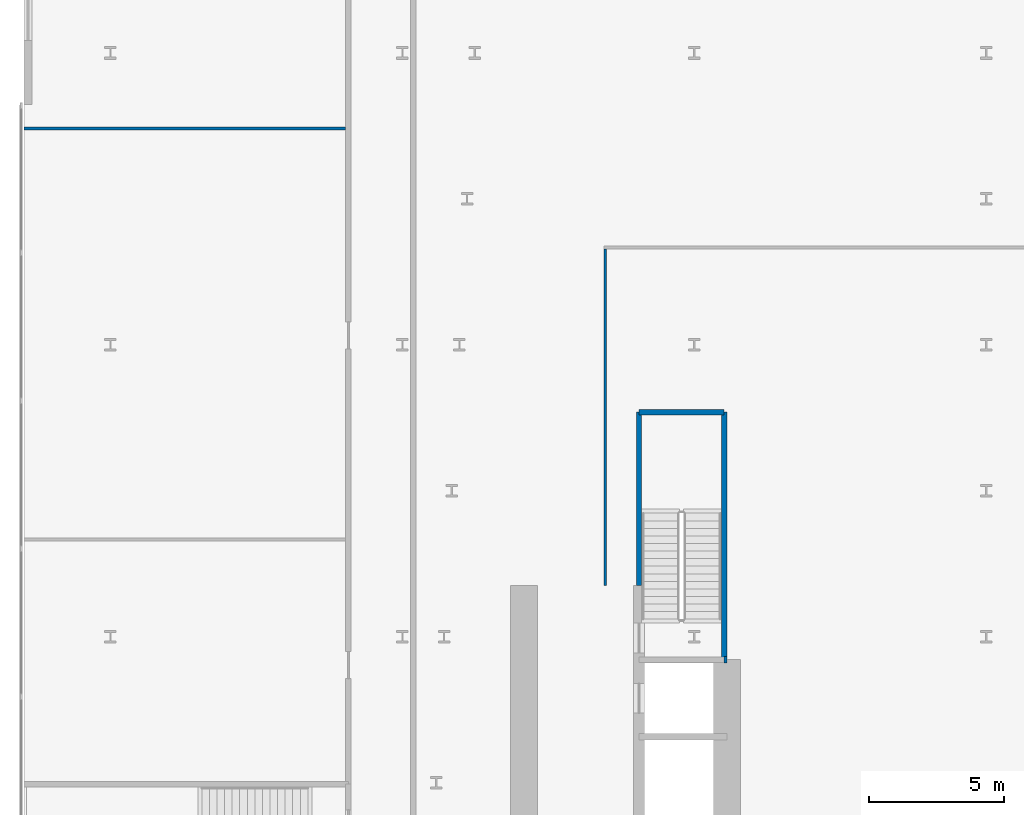
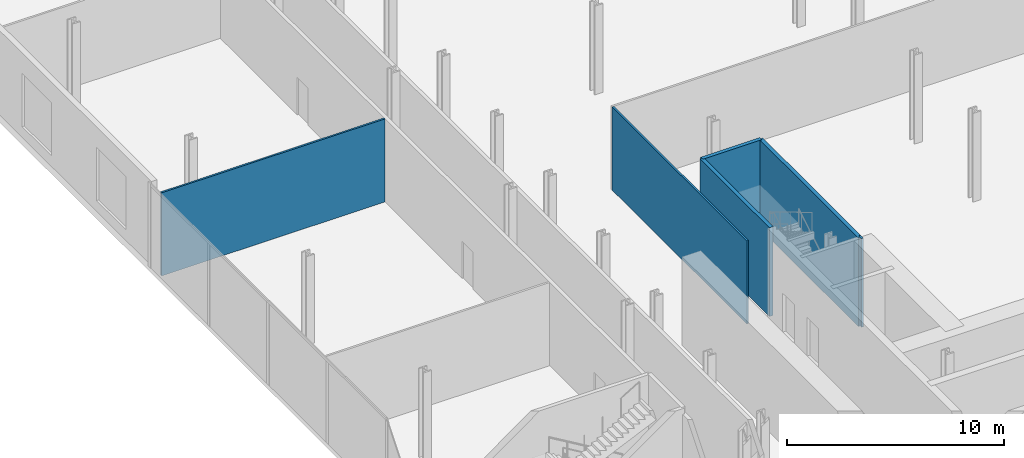
# One storey, part 29 of 47: 6 walls.
"""IFC4 building model written with IfcOpenShell, lengths in metres."""

from ifc_helpers import new_model, si_unit, direction, frame, frame_2d, origin, place, context, subcontext, project, spatial, rectangle, extrude, material, layer, layer_set, type_object, element, save


model = new_model("IFC4")

# Units and contexts
model_context = context("Model", 3, precision=1e-05, world=origin(), true_north=direction((0.0, 1.0)))
body_context = subcontext(model_context, "Body", "Model", "MODEL_VIEW")
ifc_project = project(units=[si_unit("LENGTHUNIT", "METRE"), si_unit("AREAUNIT", "SQUARE_METRE"), si_unit("VOLUMEUNIT", "CUBIC_METRE"), si_unit("PLANEANGLEUNIT", "RADIAN"), si_unit("MASSUNIT", "GRAM", prefix="KILO")], contexts=[model_context])

# Site, building, storey
site_placement = place(None, origin())
site = spatial("IfcSite", under=ifc_project, at=site_placement, CompositionType="ELEMENT")
building_placement = place(site_placement, origin())
building = spatial("IfcBuilding", under=site, at=building_placement, Name="Kheshtan School and Residences Tower", CompositionType="ELEMENT")
storey_placement = place(building_placement, frame((0.0, 0.0, 7.5)))
storey = spatial("IfcBuildingStorey", under=building, at=storey_placement, Name="L01", CompositionType="ELEMENT", Elevation=7.5)

# Walls
ifc_material_1 = material(Name="Gypsum board on steel studs", Category="steel")
ifc_layer_1 = layer(ifc_material_1, 0.10009765625)
ifc_layer_set_1 = layer_set([ifc_layer_1], Name="Gypsum partition 100")
wall_type_1 = type_object("IfcWallType", Name="Gypsum partition 100", PredefinedType="PARTITIONING", material=ifc_layer_set_1)
wall_1_placement = place(storey_placement, frame((12.0, 64.39990234375, 0.0), z_axis=(0.0, 0.0, 1.0), x_axis=(1.0, 0.0, 0.0)))
element("IfcWall", 1, at=wall_1_placement, inside=storey, type_object=wall_type_1, Name="Partition L01-005", PredefinedType="PARTITIONING", context=body_context, shape_type="SweptSolid", body=[
    extrude(rectangle(XDim=11.89990234375, YDim=0.10009765625, at=frame_2d((5.949951171875, 0.0))), origin(), (0.0, 0.0, 1.0), 4.679931640625),
])
wall_2_placement = place(storey_placement, frame((33.5, 47.5, 0.0), z_axis=(0.0, 0.0, 1.0), x_axis=(0.0, 1.0, 0.0)))
element("IfcWall", 2, at=wall_2_placement, inside=storey, type_object=wall_type_1, Name="Partition L01-016", PredefinedType="PARTITIONING", context=body_context, shape_type="SweptSolid", body=[
    extrude(rectangle(XDim=12.449951171875, YDim=0.10009765625, at=frame_2d((6.22509765625, 0.0))), origin(), (0.0, 0.0, 1.0), 4.679931640625),
])
ifc_material_2 = material(Name="Fire-board shaft wall system")
ifc_layer_2 = layer(ifc_material_2, 0.25)
ifc_layer_set_2 = layer_set([ifc_layer_2], Name="Shaft lining wall 250")
wall_type_2 = type_object("IfcWallType", Name="Shaft lining wall 250", PredefinedType="PARTITIONING", material=ifc_layer_set_2)
wall_3_placement = place(storey_placement, frame((37.89990234375, 44.75, 0.0), z_axis=(0.0, 0.0, 1.0), x_axis=(1.0, 0.0, 0.0)))
element("IfcWall", 3, at=wall_3_placement, inside=storey, type_object=wall_type_2, Name="Shaft lining wall", PredefinedType="PARTITIONING", context=body_context, shape_type="SweptSolid", body=[
    extrude(rectangle(XDim=0.10009765625, YDim=0.25, at=frame_2d((0.050048828125, 0.0))), origin(), (0.0, 0.0, 1.0), 5.0),
])
ifc_material_3 = material(Name="Concrete C40/50", Category="concrete")
ifc_layer_3 = layer(ifc_material_3, 0.199951171875)
ifc_layer_set_3 = layer_set([ifc_layer_3], Name="Stair enclosure wall 200 Concrete C40/50")
wall_type_3 = type_object("IfcWallType", Name="Stair enclosure wall 200 Concrete C40/50", PredefinedType="SHEAR", material=ifc_layer_set_3)
wall_4_placement = place(storey_placement, frame((34.75, 53.909912109375, 0.0), z_axis=(0.0, 0.0, 1.0), x_axis=(1.0, 0.0, 0.0)))
element("IfcWall", 4, at=wall_4_placement, inside=storey, type_object=wall_type_3, Name="Stair enclosure wall ST2", PredefinedType="SHEAR", context=body_context, shape_type="SweptSolid", body=[
    extrude(rectangle(XDim=3.14990234375, YDim=0.199951171875, at=frame_2d((1.574951171875, 0.0))), origin(), (0.0, 0.0, 1.0), 5.0),
])
wall_5_placement = place(storey_placement, frame((34.75, 47.5, 0.0), z_axis=(0.0, 0.0, 1.0), x_axis=(0.0, 1.0, 0.0)))
element("IfcWall", 5, at=wall_5_placement, inside=storey, type_object=wall_type_3, Name="Stair enclosure wall ST2", PredefinedType="SHEAR", context=body_context, shape_type="SweptSolid", body=[
    extrude(rectangle(XDim=6.409912109375, YDim=0.199951171875, at=frame_2d((3.205078125, 0.0))), origin(), (0.0, 0.0, 1.0), 5.0),
])
wall_6_placement = place(storey_placement, frame((37.89990234375, 44.75, 0.0), z_axis=(0.0, 0.0, 1.0), x_axis=(0.0, 1.0, 0.0)))
element("IfcWall", 6, at=wall_6_placement, inside=storey, type_object=wall_type_3, Name="Stair enclosure wall ST2", PredefinedType="SHEAR", context=body_context, shape_type="SweptSolid", body=[
    extrude(rectangle(XDim=9.159912109375, YDim=0.199951171875, at=frame_2d((4.580078125, 0.0))), origin(), (0.0, 0.0, 1.0), 5.0),
])

save(model, "model.ifc")
